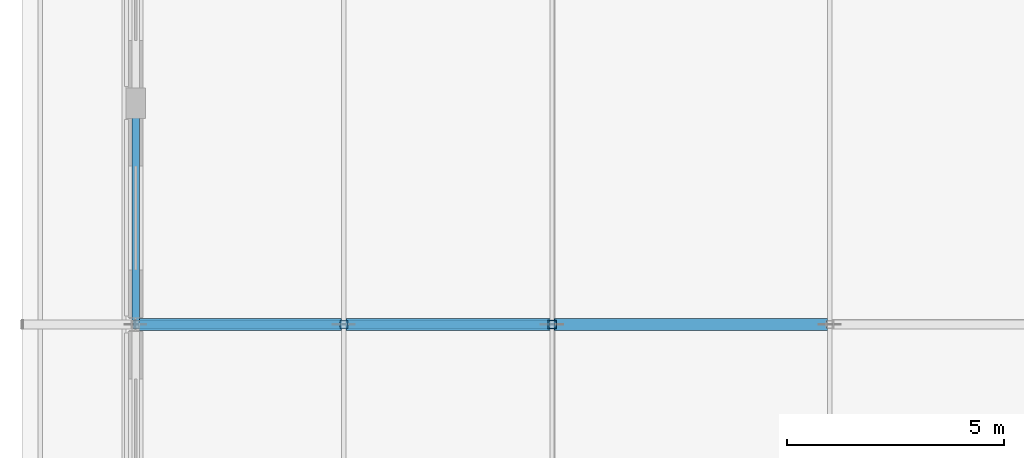
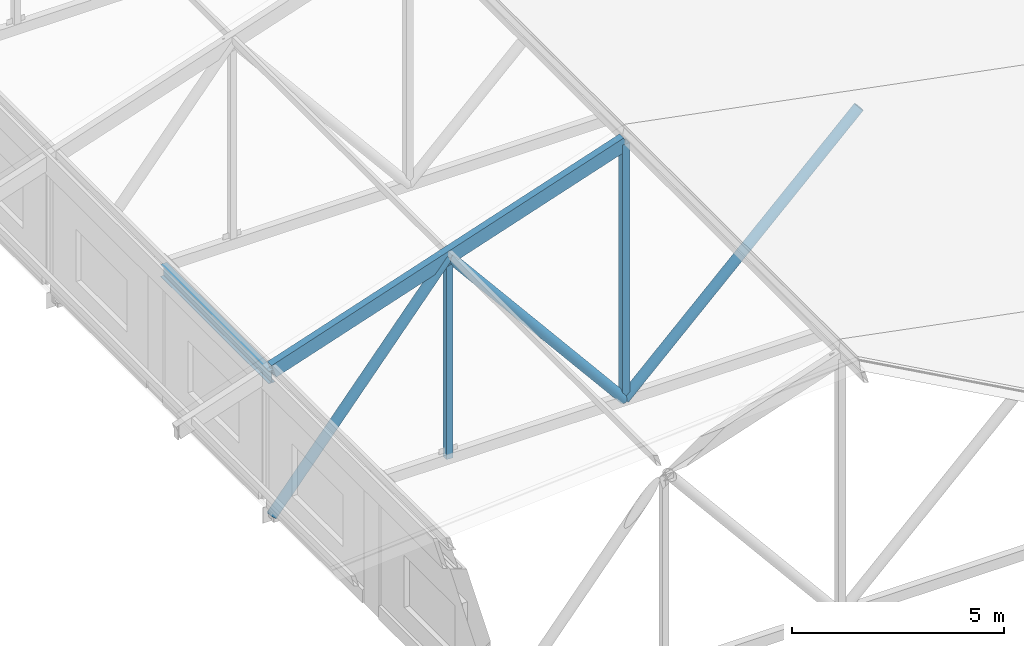
# One storey, part 48 of 200: 6 members, 1 beam.
"""IFC4 building model written with IfcOpenShell, lengths in metres."""

from ifc_helpers import new_model, si_unit, direction, frame, origin, origin_2d, place, context, subcontext, project, spatial, hollow_rectangle, hollow_circle, i_section, extrude, material, material_profile, profile_set, type_object, element, save


model = new_model("IFC4")

# Units and contexts
model_context = context("Model", 3, precision=1e-05, world=origin(), true_north=direction((0.0, 1.0)))
body_context = subcontext(model_context, "Body", "Model", "MODEL_VIEW")
ifc_project = project(units=[si_unit("LENGTHUNIT", "METRE"), si_unit("AREAUNIT", "SQUARE_METRE"), si_unit("VOLUMEUNIT", "CUBIC_METRE"), si_unit("PLANEANGLEUNIT", "RADIAN"), si_unit("MASSUNIT", "GRAM", prefix="KILO")], contexts=[model_context])

# Site, building, storey
site_placement = place(None, origin())
site = spatial("IfcSite", under=ifc_project, at=site_placement, CompositionType="ELEMENT")
building_placement = place(site_placement, origin())
building = spatial("IfcBuilding", under=site, at=building_placement, Name="Vondelvale Polytechnic", CompositionType="ELEMENT")
storey_placement = place(building_placement, frame((0.0, 0.0, 13.800048828125)))
storey = spatial("IfcBuildingStorey", under=building, at=storey_placement, Name="L03", CompositionType="ELEMENT", Elevation=13.800048828125)

# Beam
ifc_material_1 = material(Name="Steel 300PLUS (fy = 300 MPa)", Category="steel")
ifc_material_profile_1 = material_profile(ifc_material_1, i_section(OverallWidth=0.172119140625, OverallDepth=0.35888671875, WebThickness=0.008056640625, FlangeThickness=0.012939453125, FilletRadius=0.011474609375, at=origin_2d()), Name="360UB56.7")
ifc_profile_set_1 = profile_set([ifc_material_profile_1], Name="Steel 300PLUS (fy = 300 MPa)")
beam_type = type_object("IfcBeamType", Name="BM-UB360H", PredefinedType="BEAM", material=ifc_profile_set_1)
beam_placement = place(storey_placement, frame((0.0, 91.800048828125, 3.570556640625), z_axis=(0.0, 1.0, 0.0), x_axis=(-1.0, 0.0, 0.0)))
element("IfcBeam", 1, at=beam_placement, inside=storey, type_object=beam_type, Name="L03 WE B-15", PredefinedType="BEAM", context=body_context, shape_type="SweptSolid", body=[
    extrude(i_section(OverallWidth=0.172119140625, OverallDepth=0.35888671875, WebThickness=0.008056640625, FlangeThickness=0.012939453125, FilletRadius=0.011474609375, at=origin_2d()), origin(), (0.0, 0.0, 1.0), 5.099853515625),
])

# Members
ifc_material_2 = material(Name="Steel C350L0 (fy = 350 MPa)", Category="steel")
ifc_material_profile_2 = material_profile(ifc_material_2, hollow_circle(Radius=0.136474609375, WallThickness=0.00927734375, at=origin_2d()), Name="273.1x9.3CHS")
ifc_profile_set_2 = profile_set([ifc_material_profile_2], Name="Steel C350L0 (fy = 350 MPa)")
member_type_1 = type_object("IfcMemberType", Name="ROOF TRUSS BRACE 273CHS", PredefinedType="BRACE", material=ifc_profile_set_2)
for number, where, z_axis, x_axis, name in (
    (2, (0.0, 91.800048828125, -0.420166015625), (0.6375683777, 0.0, 0.770393771884), (0.0, 1.0, 0.0), "ROOF TRUSS TR-05 web diagonal 1"),
    (3, (4.800048828125, 91.800048828125, 5.3798828125), (0.6375683777, 0.0, -0.770393771884), (0.0, 1.0, 0.0), "ROOF TRUSS TR-05 web diagonal 2"),
):
    element("IfcMember", number, at=place(storey_placement, frame(where, z_axis=z_axis, x_axis=x_axis)), inside=storey, type_object=member_type_1, Name=name, PredefinedType="BRACE", context=body_context, shape_type="SweptSolid", body=[
        extrude(hollow_circle(Radius=0.136474609375, WallThickness=0.00927734375, at=origin_2d()), origin(), (0.0, 0.0, 1.0), 7.528564453125),
    ])
member_1_placement = place(storey_placement, frame((9.60009765625, 91.800048828125, -0.420166015625), z_axis=(0.720102098263, 0.0, 0.69386812009), x_axis=(0.0, 1.0, 0.0)))
element("IfcMember", 4, at=member_1_placement, inside=storey, type_object=member_type_1, Name="ROOF TRUSS TR-05 web diagonal 3", PredefinedType="BRACE", context=body_context, shape_type="SweptSolid", body=[
    extrude(hollow_circle(Radius=0.136474609375, WallThickness=0.00927734375, at=origin_2d()), origin(), (0.0, 0.0, 1.0), 8.887451171875),
])
ifc_material_profile_3 = material_profile(ifc_material_2, hollow_rectangle(XDim=0.175048828125, YDim=0.175048828125, WallThickness=0.006103515625, at=origin_2d()), Name="175x175x6.0SHS")
ifc_profile_set_3 = profile_set([ifc_material_profile_3], Name="Steel C350L0 (fy = 350 MPa)")
member_type_2 = type_object("IfcMemberType", Name="ROOF TRUSS POST 175SHS", PredefinedType="POST", material=ifc_profile_set_3)
member_2_placement = place(storey_placement, frame((4.800048828125, 91.800048828125, -0.420166015625), z_axis=(0.0, 0.0, 1.0), x_axis=(1.0, 0.0, 0.0)))
element("IfcMember", 5, at=member_2_placement, inside=storey, type_object=member_type_2, Name="ROOF TRUSS TR-05 vertical post 1", PredefinedType="POST", context=body_context, shape_type="SweptSolid", body=[
    extrude(hollow_rectangle(XDim=0.175048828125, YDim=0.175048828125, WallThickness=0.006103515625, at=origin_2d()), origin(), (0.0, 0.0, 1.0), 5.800048828125),
])
ifc_material_profile_4 = material_profile(ifc_material_2, hollow_rectangle(XDim=0.199951171875, YDim=0.199951171875, WallThickness=0.009033203125, at=origin_2d()), Name="200x200x9.0SHS")
ifc_profile_set_4 = profile_set([ifc_material_profile_4], Name="Steel C350L0 (fy = 350 MPa)")
member_type_3 = type_object("IfcMemberType", Name="ROOF TRUSS POST 200SHS", PredefinedType="POST", material=ifc_profile_set_4)
member_3_placement = place(storey_placement, frame((9.60009765625, 91.800048828125, -0.420166015625), z_axis=(0.0, 0.0, 1.0), x_axis=(1.0, 0.0, 0.0)))
element("IfcMember", 6, at=member_3_placement, inside=storey, type_object=member_type_3, Name="ROOF TRUSS TR-05 vertical post 2", PredefinedType="POST", context=body_context, shape_type="SweptSolid", body=[
    extrude(hollow_rectangle(XDim=0.199951171875, YDim=0.199951171875, WallThickness=0.009033203125, at=origin_2d()), origin(), (0.0, 0.0, 1.0), 7.400146484375),
])
ifc_material_profile_5 = material_profile(ifc_material_2, hollow_rectangle(XDim=0.199951171875, YDim=0.39990234375, WallThickness=0.010009765625, at=origin_2d()), Name="400x200x10.0RHS")
ifc_profile_set_5 = profile_set([ifc_material_profile_5], Name="Steel C350L0 (fy = 350 MPa)")
member_type_4 = type_object("IfcMemberType", Name="ROOF TRUSS TOP CHORD 400RHS", PredefinedType="CHORD", material=ifc_profile_set_5)
member_4_placement = place(storey_placement, frame((0.0, 91.800048828125, 3.780029296875), z_axis=(0.948685710631, 0.0, 0.316220528184), x_axis=(0.0, 1.0, 0.0)))
element("IfcMember", 7, at=member_4_placement, inside=storey, type_object=member_type_4, Name="ROOF TRUSS TR-05 top chord 2", PredefinedType="CHORD", context=body_context, shape_type="SweptSolid", body=[
    extrude(hollow_rectangle(XDim=0.199951171875, YDim=0.39990234375, WallThickness=0.010009765625, at=origin_2d()), origin(), (0.0, 0.0, 1.0), 10.119384765625),
])

save(model, "model.ifc")
